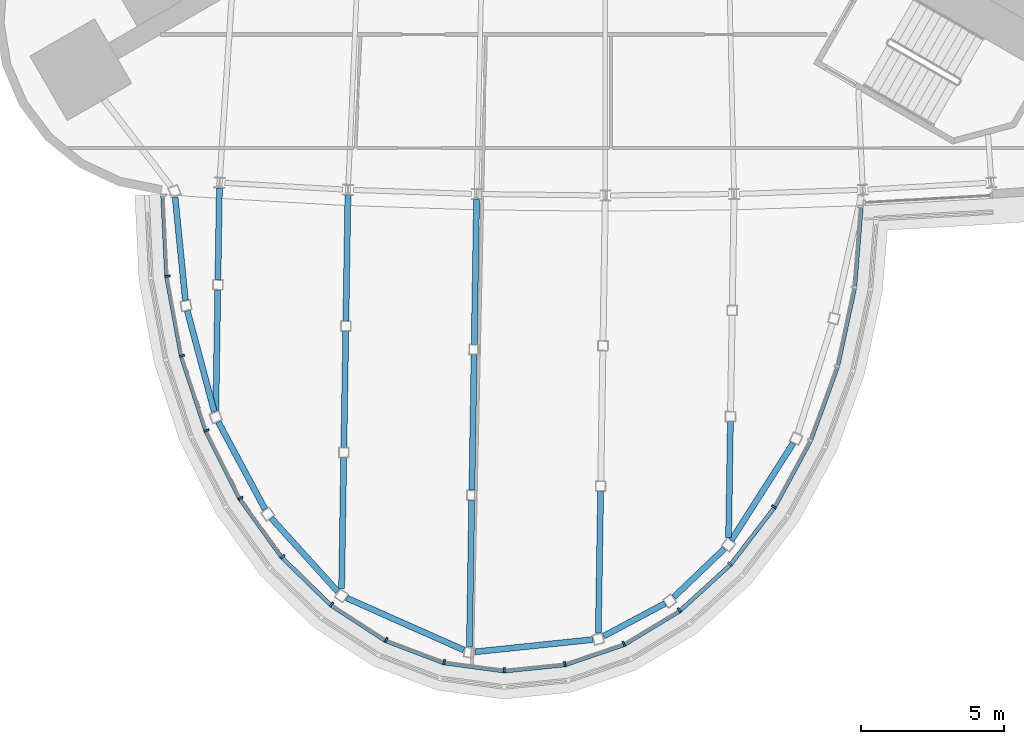
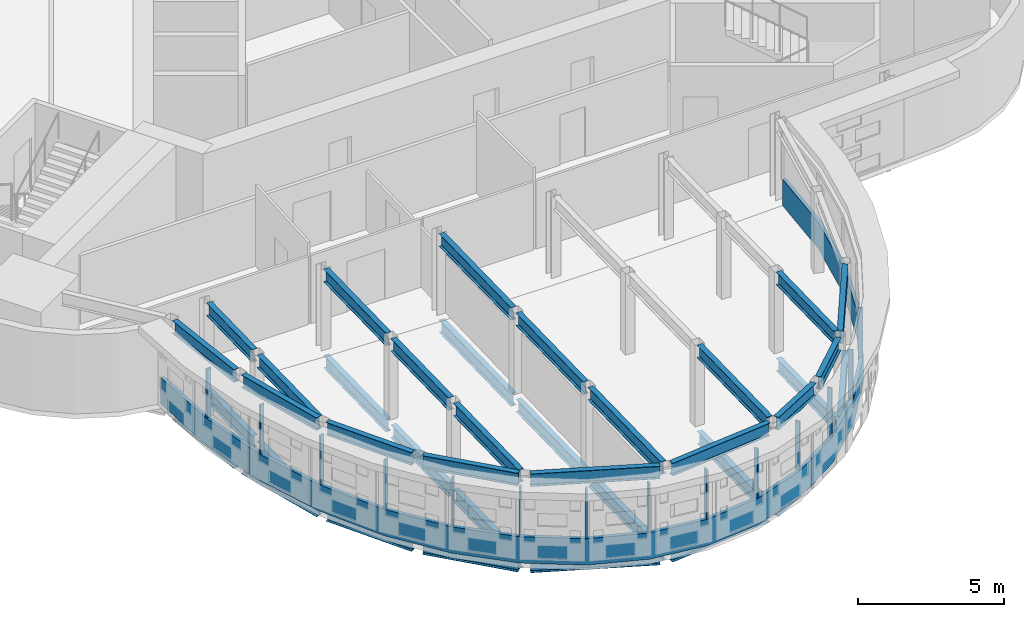
# One storey, part 3 of 15: 38 beams, 15 members, 1 element without a shape of its own.
"""IFC4 building model written with IfcOpenShell, lengths in metres."""

from ifc_helpers import new_model, si_unit, direction, frame, origin, origin_2d, place, context, subcontext, project, spatial, polyline, rectangle, i_section, outline, extrude, material, material_profile, profile_set, type_object, element, aggregate, save


model = new_model("IFC4")

# Units and contexts
model_context = context("Model", 3, precision=1e-05, world=origin(), true_north=direction((0.0, 1.0)))
body_context = subcontext(model_context, "Body", "Model", "MODEL_VIEW")
ifc_project = project(units=[si_unit("LENGTHUNIT", "METRE"), si_unit("AREAUNIT", "SQUARE_METRE"), si_unit("VOLUMEUNIT", "CUBIC_METRE"), si_unit("PLANEANGLEUNIT", "RADIAN"), si_unit("MASSUNIT", "GRAM", prefix="KILO")], contexts=[model_context])

# Site, building, storey
site_placement = place(None, origin())
site = spatial("IfcSite", under=ifc_project, at=site_placement, CompositionType="ELEMENT")
building_placement = place(site_placement, origin())
building = spatial("IfcBuilding", under=site, at=building_placement, Name="Noor Cloister Tower", CompositionType="ELEMENT")
storey_placement = place(building_placement, frame((0.0, 0.0, 225.60009765625)))
storey = spatial("IfcBuildingStorey", under=building, at=storey_placement, Name="L58", CompositionType="ELEMENT", Elevation=225.60009765625)

# Curtain wall, members
ifc_material_1 = material(Name="Aluminium 6063-T6 anodised", Category="aluminium")
curtain_wall_type = type_object("IfcCurtainWallType", Name="Sky bar curtain wall, upper bars CW6", PredefinedType="NOTDEFINED", material=ifc_material_1)
curtain_wall_placement = place(storey_placement, origin())
curtain_wall = element("IfcCurtainWall", 1, at=curtain_wall_placement, inside=storey, type_object=curtain_wall_type, Name="CW6 L58 S sky bar run 2", PredefinedType="NOTDEFINED")
ifc_material_2 = material(Name="Aluminium 6063-T6 anodised", Category="aluminium")
ifc_material_profile_1 = material_profile(ifc_material_2, rectangle(XDim=0.179931640625, YDim=0.070068359375, at=origin_2d()), Name="180 x 70 mullion")
ifc_profile_set_1 = profile_set([ifc_material_profile_1], Name="Aluminium 6063-T6 anodised")
member_type_1 = type_object("IfcMemberType", Name="Mullion CW6 70 x 180", PredefinedType="MULLION", material=ifc_profile_set_1)
member_1_placement = place(storey_placement, frame((-15.267578125, -17.754638671875, 1.099853515625), z_axis=(0.0, 0.0, 1.0), x_axis=(0.993438965549, 0.114363550702, 0.0)))
member_1 = element("IfcMember", 2, at=member_1_placement, type_object=member_type_1, Name="CW6 mullion 2", PredefinedType="MULLION", context=body_context, shape_type="SweptSolid", body=[
    extrude(rectangle(XDim=0.179931640625, YDim=0.070068359375, at=origin_2d()), origin(), (0.0, 0.0, 1.0), 2.050048828125),
])
member_2_placement = place(storey_placement, frame((-14.76171875, -20.528076171875, 1.099853515625), z_axis=(0.0, 0.0, 1.0), x_axis=(0.969193298185, 0.246301341357, 0.0)))
member_2 = element("IfcMember", 3, at=member_2_placement, type_object=member_type_1, Name="CW6 mullion 3", PredefinedType="MULLION", context=body_context, shape_type="SweptSolid", body=[
    extrude(rectangle(XDim=0.179931640625, YDim=0.070068359375, at=origin_2d()), origin(), (0.0, 0.0, 1.0), 2.050048828125),
])
member_3_placement = place(storey_placement, frame((-13.9052734375, -23.13525390625, 1.099853515625), z_axis=(0.0, 0.0, 1.0), x_axis=(0.924752283101, 0.380569592715, 0.0)))
member_3 = element("IfcMember", 4, at=member_3_placement, type_object=member_type_1, Name="CW6 mullion 4", PredefinedType="MULLION", context=body_context, shape_type="SweptSolid", body=[
    extrude(rectangle(XDim=0.179931640625, YDim=0.070068359375, at=origin_2d()), origin(), (0.0, 0.0, 1.0), 2.050048828125),
])
member_4_placement = place(storey_placement, frame((-12.72509765625, -25.4970703125, 1.099853515625), z_axis=(0.0, 0.0, 1.0), x_axis=(0.856103758386, 0.516803981096, 0.0)))
member_4 = element("IfcMember", 5, at=member_4_placement, type_object=member_type_1, Name="CW6 mullion 5", PredefinedType="MULLION", context=body_context, shape_type="SweptSolid", body=[
    extrude(rectangle(XDim=0.179931640625, YDim=0.070068359375, at=origin_2d()), origin(), (0.0, 0.0, 1.0), 2.050048828125),
])
member_5_placement = place(storey_placement, frame((-11.25732421875, -27.541015625, 1.099853515625), z_axis=(0.0, 0.0, 1.0), x_axis=(0.757870889148, 0.652404564194, 0.0)))
member_5 = element("IfcMember", 6, at=member_5_placement, type_object=member_type_1, Name="CW6 mullion 6", PredefinedType="MULLION", context=body_context, shape_type="SweptSolid", body=[
    extrude(rectangle(XDim=0.179931640625, YDim=0.070068359375, at=origin_2d()), origin(), (0.0, 0.0, 1.0), 2.050048828125),
])
member_6_placement = place(storey_placement, frame((-9.547607421875, -29.20556640625, 1.099853515625), z_axis=(0.0, 0.0, 1.0), x_axis=(0.624409562203, 0.781097112163, 0.0)))
member_6 = element("IfcMember", 7, at=member_6_placement, type_object=member_type_1, Name="CW6 mullion 7", PredefinedType="MULLION", context=body_context, shape_type="SweptSolid", body=[
    extrude(rectangle(XDim=0.179931640625, YDim=0.070068359375, at=origin_2d()), origin(), (0.0, 0.0, 1.0), 2.050048828125),
])
member_7_placement = place(storey_placement, frame((-7.648681640625, -30.44091796875, 1.099853515625), z_axis=(0.0, 0.0, 1.0), x_axis=(0.452451441396, 0.891789040737, 0.0)))
member_7 = element("IfcMember", 8, at=member_7_placement, type_object=member_type_1, Name="CW6 mullion 8", PredefinedType="MULLION", context=body_context, shape_type="SweptSolid", body=[
    extrude(rectangle(XDim=0.179931640625, YDim=0.070068359375, at=origin_2d()), origin(), (0.0, 0.0, 1.0), 2.050048828125),
])
member_8_placement = place(storey_placement, frame((-5.61865234375, -31.210205078125, 1.099853515625), z_axis=(0.0, 0.0, 1.0), x_axis=(0.245276878973, 0.969453068818, 0.0)))
member_8 = element("IfcMember", 9, at=member_8_placement, type_object=member_type_1, Name="CW6 mullion 9", PredefinedType="MULLION", context=body_context, shape_type="SweptSolid", body=[
    extrude(rectangle(XDim=0.179931640625, YDim=0.070068359375, at=origin_2d()), origin(), (0.0, 0.0, 1.0), 2.050048828125),
])
member_9_placement = place(storey_placement, frame((-3.51806640625, -31.491943359375, 1.099853515625), z_axis=(0.0, 0.0, 1.0), x_axis=(0.016039463974, 0.999871359524, 0.0)))
member_9 = element("IfcMember", 10, at=member_9_placement, type_object=member_type_1, Name="CW6 mullion 10", PredefinedType="MULLION", context=body_context, shape_type="SweptSolid", body=[
    extrude(rectangle(XDim=0.179931640625, YDim=0.070068359375, at=origin_2d()), origin(), (0.0, 0.0, 1.0), 2.050048828125),
])
member_10_placement = place(storey_placement, frame((-1.40966796875, -31.27783203125, 1.099853515625), z_axis=(0.0, 0.0, 1.0), x_axis=(-0.214055662401, 0.976821464442, 0.0)))
member_10 = element("IfcMember", 11, at=member_10_placement, type_object=member_type_1, Name="CW6 mullion 11", PredefinedType="MULLION", context=body_context, shape_type="SweptSolid", body=[
    extrude(rectangle(XDim=0.179931640625, YDim=0.070068359375, at=origin_2d()), origin(), (0.0, 0.0, 1.0), 2.050048828125),
])
member_11_placement = place(storey_placement, frame((0.64404296875, -30.57373046875, 1.099853515625), z_axis=(0.0, 0.0, 1.0), x_axis=(-0.423614685811, 0.905842479665, 0.0)))
member_11 = element("IfcMember", 12, at=member_11_placement, type_object=member_type_1, Name="CW6 mullion 12", PredefinedType="MULLION", context=body_context, shape_type="SweptSolid", body=[
    extrude(rectangle(XDim=0.179931640625, YDim=0.070068359375, at=origin_2d()), origin(), (0.0, 0.0, 1.0), 2.050048828125),
])
member_12_placement = place(storey_placement, frame((2.58154296875, -29.400146484375, 1.099853515625), z_axis=(0.0, 0.0, 1.0), x_axis=(-0.599034750826, 0.800723027834, 0.0)))
member_12 = element("IfcMember", 13, at=member_12_placement, type_object=member_type_1, Name="CW6 mullion 13", PredefinedType="MULLION", context=body_context, shape_type="SweptSolid", body=[
    extrude(rectangle(XDim=0.179931640625, YDim=0.070068359375, at=origin_2d()), origin(), (0.0, 0.0, 1.0), 2.050048828125),
])
member_13_placement = place(storey_placement, frame((4.34375, -27.791259765625, 1.099853515625), z_axis=(0.0, 0.0, 1.0), x_axis=(-0.736555195978, 0.676377441431, 0.0)))
member_13 = element("IfcMember", 14, at=member_13_placement, type_object=member_type_1, Name="CW6 mullion 14", PredefinedType="MULLION", context=body_context, shape_type="SweptSolid", body=[
    extrude(rectangle(XDim=0.179931640625, YDim=0.070068359375, at=origin_2d()), origin(), (0.0, 0.0, 1.0), 2.050048828125),
])
member_14_placement = place(storey_placement, frame((5.876220703125, -25.79541015625, 1.099853515625), z_axis=(0.0, 0.0, 1.0), x_axis=(-0.839086883334, 0.543997428502, 0.0)))
member_14 = element("IfcMember", 15, at=member_14_placement, type_object=member_type_1, Name="CW6 mullion 15", PredefinedType="MULLION", context=body_context, shape_type="SweptSolid", body=[
    extrude(rectangle(XDim=0.179931640625, YDim=0.070068359375, at=origin_2d()), origin(), (0.0, 0.0, 1.0), 2.050048828125),
])

# Beams
ifc_material_3 = material(Name="Steel ASTM A992 Gr 50", Category="steel")
ifc_material_profile_2 = material_profile(ifc_material_3, i_section(OverallWidth=0.208984375, OverallDepth=0.532958984375, WebThickness=0.01025390625, FlangeThickness=0.015625, FilletRadius=0.0126953125, at=origin_2d()), Name="W530x92")
ifc_profile_set_2 = profile_set([ifc_material_profile_2], Name="Steel ASTM A992 Gr 50")
beam_type = type_object("IfcBeamType", Name="Pod floor beam W530x92", PredefinedType="BEAM", material=ifc_profile_set_2)
beam_1_placement = place(storey_placement, frame((-13.45654296875, -14.68310546875, -0.466552734375), z_axis=(-0.016057886464, -0.999871063829, 0.0), x_axis=(0.999871063829, -0.016057886464, 0.0)))
element("IfcBeam", 16, at=beam_1_placement, inside=storey, type_object=beam_type, Name="Pod floor beam 4 L58 line 1 span 1", PredefinedType="BEAM", context=body_context, shape_type="SweptSolid", body=[
    extrude(i_section(OverallWidth=0.208984375, OverallDepth=0.532958984375, WebThickness=0.01025390625, FlangeThickness=0.015625, FilletRadius=0.0126953125, at=origin_2d()), origin(), (0.0, 0.0, 1.0), 3.19287109375),
])
beam_2_placement = place(storey_placement, frame((-13.513671875, -18.231689453125, -0.466552734375), z_axis=(-0.016020235708, -0.999871667789, 0.0), x_axis=(0.999871667789, -0.016020235708, 0.0)))
element("IfcBeam", 17, at=beam_2_placement, inside=storey, type_object=beam_type, Name="Pod floor beam 4 L58 line 1 span 2", PredefinedType="BEAM", context=body_context, shape_type="SweptSolid", body=[
    extrude(i_section(OverallWidth=0.208984375, OverallDepth=0.532958984375, WebThickness=0.01025390625, FlangeThickness=0.015625, FilletRadius=0.0126953125, at=origin_2d()), origin(), (0.0, 0.0, 1.0), 4.2060546875),
])
beam_3_placement = place(storey_placement, frame((-8.975830078125, -14.928955078125, -0.466552734375), z_axis=(-0.016022870474, -0.999871625571, 0.0), x_axis=(0.999871625571, -0.016022870474, 0.0)))
element("IfcBeam", 18, at=beam_3_placement, inside=storey, type_object=beam_type, Name="Pod floor beam 4 L58 line 2 span 1", PredefinedType="BEAM", context=body_context, shape_type="SweptSolid", body=[
    extrude(i_section(OverallWidth=0.208984375, OverallDepth=0.532958984375, WebThickness=0.01025390625, FlangeThickness=0.015625, FilletRadius=0.0126953125, at=origin_2d()), origin(), (0.0, 0.0, 1.0), 4.38818359375),
])
beam_4_placement = place(storey_placement, frame((-9.0517578125, -19.672607421875, -0.466552734375), z_axis=(-0.01602879691, -0.999871530583, 0.0), x_axis=(0.999871530583, -0.01602879691, 0.0)))
element("IfcBeam", 19, at=beam_4_placement, inside=storey, type_object=beam_type, Name="Pod floor beam 4 L58 line 2 span 2", PredefinedType="BEAM", context=body_context, shape_type="SweptSolid", body=[
    extrude(i_section(OverallWidth=0.208984375, OverallDepth=0.532958984375, WebThickness=0.01025390625, FlangeThickness=0.015625, FilletRadius=0.0126953125, at=origin_2d()), origin(), (0.0, 0.0, 1.0), 4.051513671875),
])
beam_5_placement = place(storey_placement, frame((-9.12255859375, -24.07958984375, -0.466552734375), z_axis=(-0.016028719651, -0.999871531821, 0.0), x_axis=(0.999871531821, -0.016028719651, 0.0)))
element("IfcBeam", 20, at=beam_5_placement, inside=storey, type_object=beam_type, Name="Pod floor beam 4 L58 line 2 span 3", PredefinedType="BEAM", context=body_context, shape_type="SweptSolid", body=[
    extrude(i_section(OverallWidth=0.208984375, OverallDepth=0.532958984375, WebThickness=0.01025390625, FlangeThickness=0.015625, FilletRadius=0.0126953125, at=origin_2d()), origin(), (0.0, 0.0, 1.0), 4.5693359375),
])
beam_6_placement = place(storey_placement, frame((-4.490478515625, -15.075439453125, -0.466552734375), z_axis=(-0.016018790783, -0.999871690939, 0.0), x_axis=(0.999871690939, -0.016018790783, 0.0)))
element("IfcBeam", 21, at=beam_6_placement, inside=storey, type_object=beam_type, Name="Pod floor beam 4 L58 line 3 span 1", PredefinedType="BEAM", context=body_context, shape_type="SweptSolid", body=[
    extrude(i_section(OverallWidth=0.208984375, OverallDepth=0.532958984375, WebThickness=0.01025390625, FlangeThickness=0.015625, FilletRadius=0.0126953125, at=origin_2d()), origin(), (0.0, 0.0, 1.0), 5.06005859375),
])
beam_7_placement = place(storey_placement, frame((-4.577392578125, -20.49072265625, -0.466552734375), z_axis=(-0.016018616282, -0.999871693735, 0.0), x_axis=(0.999871693735, -0.016018616282, 0.0)))
element("IfcBeam", 22, at=beam_7_placement, inside=storey, type_object=beam_type, Name="Pod floor beam 4 L58 line 3 span 2", PredefinedType="BEAM", context=body_context, shape_type="SweptSolid", body=[
    extrude(i_section(OverallWidth=0.208984375, OverallDepth=0.532958984375, WebThickness=0.01025390625, FlangeThickness=0.015625, FilletRadius=0.0126953125, at=origin_2d()), origin(), (0.0, 0.0, 1.0), 4.724609375),
])
beam_8_placement = place(storey_placement, frame((-4.65869140625, -25.57080078125, -0.466552734375), z_axis=(-0.016060649323, -0.999871019454, 0.0), x_axis=(0.999871019454, -0.016060649323, 0.0)))
element("IfcBeam", 23, at=beam_8_placement, inside=storey, type_object=beam_type, Name="Pod floor beam 4 L58 line 3 span 3", PredefinedType="BEAM", context=body_context, shape_type="SweptSolid", body=[
    extrude(i_section(OverallWidth=0.208984375, OverallDepth=0.532958984375, WebThickness=0.01025390625, FlangeThickness=0.015625, FilletRadius=0.0126953125, at=origin_2d()), origin(), (0.0, 0.0, 1.0), 5.107666015625),
])
beam_9_placement = place(storey_placement, frame((-0.16552734375, -25.252197265625, -0.466552734375), z_axis=(-0.016014555828, -0.999871758778, 0.0), x_axis=(0.999871758778, -0.016014555828, 0.0)))
element("IfcBeam", 24, at=beam_9_placement, inside=storey, type_object=beam_type, Name="Pod floor beam 4 L58 line 4 span 3", PredefinedType="BEAM", context=body_context, shape_type="SweptSolid", body=[
    extrude(i_section(OverallWidth=0.208984375, OverallDepth=0.532958984375, WebThickness=0.01025390625, FlangeThickness=0.015625, FilletRadius=0.0126953125, at=origin_2d()), origin(), (0.0, 0.0, 1.0), 4.939453125),
])
beam_10_placement = place(storey_placement, frame((4.360107421875, -22.828125, -0.466552734375), z_axis=(-0.016058791155, -0.999871049299, 0.0), x_axis=(0.999871049299, -0.016058791155, 0.0)))
element("IfcBeam", 25, at=beam_10_placement, inside=storey, type_object=beam_type, Name="Pod floor beam 4 L58 line 5 span 3", PredefinedType="BEAM", context=body_context, shape_type="SweptSolid", body=[
    extrude(i_section(OverallWidth=0.208984375, OverallDepth=0.532958984375, WebThickness=0.01025390625, FlangeThickness=0.015625, FilletRadius=0.0126953125, at=origin_2d()), origin(), (0.0, 0.0, 1.0), 4.0439453125),
])
beam_11_placement = place(storey_placement, frame((-14.99951171875, -15.00390625, -0.466552734375), z_axis=(0.09924249297, -0.995063278183, 0.0), x_axis=(0.995063278183, 0.09924249297, 0.0)))
element("IfcBeam", 26, at=beam_11_placement, inside=storey, type_object=beam_type, Name="Pod floor beam 4 L58 ring 2", PredefinedType="BEAM", context=body_context, shape_type="SweptSolid", body=[
    extrude(i_section(OverallWidth=0.208984375, OverallDepth=0.532958984375, WebThickness=0.01025390625, FlangeThickness=0.015625, FilletRadius=0.0126953125, at=origin_2d()), origin(), (0.0, 0.0, 1.0), 3.60888671875),
])
beam_12_placement = place(storey_placement, frame((-14.57470703125, -18.961669921875, -0.466552734375), z_axis=(0.25794181174, -0.966160453422, 0.0), x_axis=(0.966160453422, 0.25794181174, 0.0)))
element("IfcBeam", 27, at=beam_12_placement, inside=storey, type_object=beam_type, Name="Pod floor beam 4 L58 ring 3", PredefinedType="BEAM", context=body_context, shape_type="SweptSolid", body=[
    extrude(i_section(OverallWidth=0.208984375, OverallDepth=0.532958984375, WebThickness=0.01025390625, FlangeThickness=0.015625, FilletRadius=0.0126953125, at=origin_2d()), origin(), (0.0, 0.0, 1.0), 3.646728515625),
])
beam_13_placement = place(storey_placement, frame((-13.494140625, -22.83837890625, -0.466552734375), z_axis=(0.472231221269, -0.881474715269, 0.0), x_axis=(0.881474715269, 0.472231221269, 0.0)))
element("IfcBeam", 28, at=beam_13_placement, inside=storey, type_object=beam_type, Name="Pod floor beam 4 L58 ring 4", PredefinedType="BEAM", context=body_context, shape_type="SweptSolid", body=[
    extrude(i_section(OverallWidth=0.208984375, OverallDepth=0.532958984375, WebThickness=0.01025390625, FlangeThickness=0.015625, FilletRadius=0.0126953125, at=origin_2d()), origin(), (0.0, 0.0, 1.0), 3.45361328125),
])
beam_14_placement = place(storey_placement, frame((-11.643798828125, -26.194091796875, -0.466552734375), z_axis=(0.670972878128, -0.74148189244, 0.0), x_axis=(0.74148189244, 0.670972878128, 0.0)))
element("IfcBeam", 29, at=beam_14_placement, inside=storey, type_object=beam_type, Name="Pod floor beam 4 L58 ring 5", PredefinedType="BEAM", context=body_context, shape_type="SweptSolid", body=[
    extrude(i_section(OverallWidth=0.208984375, OverallDepth=0.532958984375, WebThickness=0.01025390625, FlangeThickness=0.015625, FilletRadius=0.0126953125, at=origin_2d()), origin(), (0.0, 0.0, 1.0), 3.434814453125),
])
beam_15_placement = place(storey_placement, frame((-9.0166015625, -28.976318359375, -0.466552734375), z_axis=(0.91395356145, -0.405818786545, 0.0), x_axis=(0.405818786545, 0.91395356145, 0.0)))
element("IfcBeam", 30, at=beam_15_placement, inside=storey, type_object=beam_type, Name="Pod floor beam 4 L58 ring 6", PredefinedType="BEAM", context=body_context, shape_type="SweptSolid", body=[
    extrude(i_section(OverallWidth=0.208984375, OverallDepth=0.532958984375, WebThickness=0.01025390625, FlangeThickness=0.015625, FilletRadius=0.0126953125, at=origin_2d()), origin(), (0.0, 0.0, 1.0), 4.46435546875),
])
beam_16_placement = place(storey_placement, frame((-4.53125, -30.851318359375, -0.466552734375), z_axis=(0.994591346785, 0.103865552038, 0.0), x_axis=(-0.103865552038, 0.994591346785, 0.0)))
element("IfcBeam", 31, at=beam_16_placement, inside=storey, type_object=beam_type, Name="Pod floor beam 4 L58 ring 7", PredefinedType="BEAM", context=body_context, shape_type="SweptSolid", body=[
    extrude(i_section(OverallWidth=0.208984375, OverallDepth=0.532958984375, WebThickness=0.01025390625, FlangeThickness=0.015625, FilletRadius=0.0126953125, at=origin_2d()), origin(), (0.0, 0.0, 1.0), 4.111083984375),
])
beam_17_placement = place(storey_placement, frame((-0.064208984375, -30.30615234375, -0.466552734375), z_axis=(0.882857278329, 0.469641380312, 0.0), x_axis=(-0.469641380312, 0.882857278329, 0.0)))
element("IfcBeam", 32, at=beam_17_placement, inside=storey, type_object=beam_type, Name="Pod floor beam 4 L58 ring 8", PredefinedType="BEAM", context=body_context, shape_type="SweptSolid", body=[
    extrude(i_section(OverallWidth=0.208984375, OverallDepth=0.532958984375, WebThickness=0.01025390625, FlangeThickness=0.015625, FilletRadius=0.0126953125, at=origin_2d()), origin(), (0.0, 0.0, 1.0), 2.423095703125),
])
beam_18_placement = place(storey_placement, frame((2.386474609375, -28.943115234375, -0.466552734375), z_axis=(0.722587546646, 0.691279420663, 0.0), x_axis=(-0.691279420663, 0.722587546646, 0.0)))
element("IfcBeam", 33, at=beam_18_placement, inside=storey, type_object=beam_type, Name="Pod floor beam 4 L58 ring 9", PredefinedType="BEAM", context=body_context, shape_type="SweptSolid", body=[
    extrude(i_section(OverallWidth=0.208984375, OverallDepth=0.532958984375, WebThickness=0.01025390625, FlangeThickness=0.015625, FilletRadius=0.0126953125, at=origin_2d()), origin(), (0.0, 0.0, 1.0), 2.440673828125),
])
beam_19_placement = place(storey_placement, frame((4.392578125, -26.961669921875, -0.466552734375), z_axis=(0.537261702506, 0.843415593299, 0.0), x_axis=(-0.843415593299, 0.537261702506, 0.0)))
element("IfcBeam", 34, at=beam_19_placement, inside=storey, type_object=beam_type, Name="Pod floor beam 4 L58 ring 10", PredefinedType="BEAM", context=body_context, shape_type="SweptSolid", body=[
    extrude(i_section(OverallWidth=0.208984375, OverallDepth=0.532958984375, WebThickness=0.01025390625, FlangeThickness=0.015625, FilletRadius=0.0126953125, at=origin_2d()), origin(), (0.0, 0.0, 1.0), 4.008056640625),
])
beam_20_placement = place(storey_placement, frame((-13.45654296875, -14.68310546875, 3.13330078125), z_axis=(-0.016057886464, -0.999871063829, 0.0), x_axis=(0.999871063829, -0.016057886464, 0.0)))
element("IfcBeam", 35, at=beam_20_placement, inside=storey, type_object=beam_type, Name="Pod floor beam 4 L59 line 1 span 1", PredefinedType="BEAM", context=body_context, shape_type="SweptSolid", body=[
    extrude(i_section(OverallWidth=0.208984375, OverallDepth=0.532958984375, WebThickness=0.01025390625, FlangeThickness=0.015625, FilletRadius=0.0126953125, at=origin_2d()), origin(), (0.0, 0.0, 1.0), 3.19287109375),
])
beam_21_placement = place(storey_placement, frame((-13.513671875, -18.231689453125, 3.13330078125), z_axis=(-0.016020235708, -0.999871667789, 0.0), x_axis=(0.999871667789, -0.016020235708, 0.0)))
element("IfcBeam", 36, at=beam_21_placement, inside=storey, type_object=beam_type, Name="Pod floor beam 4 L59 line 1 span 2", PredefinedType="BEAM", context=body_context, shape_type="SweptSolid", body=[
    extrude(i_section(OverallWidth=0.208984375, OverallDepth=0.532958984375, WebThickness=0.01025390625, FlangeThickness=0.015625, FilletRadius=0.0126953125, at=origin_2d()), origin(), (0.0, 0.0, 1.0), 4.2060546875),
])
beam_22_placement = place(storey_placement, frame((-8.975830078125, -14.928955078125, 3.13330078125), z_axis=(-0.016022870474, -0.999871625571, 0.0), x_axis=(0.999871625571, -0.016022870474, 0.0)))
element("IfcBeam", 37, at=beam_22_placement, inside=storey, type_object=beam_type, Name="Pod floor beam 4 L59 line 2 span 1", PredefinedType="BEAM", context=body_context, shape_type="SweptSolid", body=[
    extrude(i_section(OverallWidth=0.208984375, OverallDepth=0.532958984375, WebThickness=0.01025390625, FlangeThickness=0.015625, FilletRadius=0.0126953125, at=origin_2d()), origin(), (0.0, 0.0, 1.0), 4.38818359375),
])
beam_23_placement = place(storey_placement, frame((-9.0517578125, -19.672607421875, 3.13330078125), z_axis=(-0.01602879691, -0.999871530583, 0.0), x_axis=(0.999871530583, -0.01602879691, 0.0)))
element("IfcBeam", 38, at=beam_23_placement, inside=storey, type_object=beam_type, Name="Pod floor beam 4 L59 line 2 span 2", PredefinedType="BEAM", context=body_context, shape_type="SweptSolid", body=[
    extrude(i_section(OverallWidth=0.208984375, OverallDepth=0.532958984375, WebThickness=0.01025390625, FlangeThickness=0.015625, FilletRadius=0.0126953125, at=origin_2d()), origin(), (0.0, 0.0, 1.0), 4.051513671875),
])
beam_24_placement = place(storey_placement, frame((-9.12255859375, -24.07958984375, 3.13330078125), z_axis=(-0.016028719651, -0.999871531821, 0.0), x_axis=(0.999871531821, -0.016028719651, 0.0)))
element("IfcBeam", 39, at=beam_24_placement, inside=storey, type_object=beam_type, Name="Pod floor beam 4 L59 line 2 span 3", PredefinedType="BEAM", context=body_context, shape_type="SweptSolid", body=[
    extrude(i_section(OverallWidth=0.208984375, OverallDepth=0.532958984375, WebThickness=0.01025390625, FlangeThickness=0.015625, FilletRadius=0.0126953125, at=origin_2d()), origin(), (0.0, 0.0, 1.0), 4.5693359375),
])
beam_25_placement = place(storey_placement, frame((-4.490478515625, -15.075439453125, 3.13330078125), z_axis=(-0.016018790783, -0.999871690939, 0.0), x_axis=(0.999871690939, -0.016018790783, 0.0)))
element("IfcBeam", 40, at=beam_25_placement, inside=storey, type_object=beam_type, Name="Pod floor beam 4 L59 line 3 span 1", PredefinedType="BEAM", context=body_context, shape_type="SweptSolid", body=[
    extrude(i_section(OverallWidth=0.208984375, OverallDepth=0.532958984375, WebThickness=0.01025390625, FlangeThickness=0.015625, FilletRadius=0.0126953125, at=origin_2d()), origin(), (0.0, 0.0, 1.0), 5.06005859375),
])
beam_26_placement = place(storey_placement, frame((-4.577392578125, -20.49072265625, 3.13330078125), z_axis=(-0.016018616282, -0.999871693735, 0.0), x_axis=(0.999871693735, -0.016018616282, 0.0)))
element("IfcBeam", 41, at=beam_26_placement, inside=storey, type_object=beam_type, Name="Pod floor beam 4 L59 line 3 span 2", PredefinedType="BEAM", context=body_context, shape_type="SweptSolid", body=[
    extrude(i_section(OverallWidth=0.208984375, OverallDepth=0.532958984375, WebThickness=0.01025390625, FlangeThickness=0.015625, FilletRadius=0.0126953125, at=origin_2d()), origin(), (0.0, 0.0, 1.0), 4.724609375),
])
beam_27_placement = place(storey_placement, frame((-4.65869140625, -25.57080078125, 3.13330078125), z_axis=(-0.016060649323, -0.999871019454, 0.0), x_axis=(0.999871019454, -0.016060649323, 0.0)))
element("IfcBeam", 42, at=beam_27_placement, inside=storey, type_object=beam_type, Name="Pod floor beam 4 L59 line 3 span 3", PredefinedType="BEAM", context=body_context, shape_type="SweptSolid", body=[
    extrude(i_section(OverallWidth=0.208984375, OverallDepth=0.532958984375, WebThickness=0.01025390625, FlangeThickness=0.015625, FilletRadius=0.0126953125, at=origin_2d()), origin(), (0.0, 0.0, 1.0), 5.107666015625),
])
beam_28_placement = place(storey_placement, frame((-0.16552734375, -25.252197265625, 3.13330078125), z_axis=(-0.016014555828, -0.999871758778, 0.0), x_axis=(0.999871758778, -0.016014555828, 0.0)))
element("IfcBeam", 43, at=beam_28_placement, inside=storey, type_object=beam_type, Name="Pod floor beam 4 L59 line 4 span 3", PredefinedType="BEAM", context=body_context, shape_type="SweptSolid", body=[
    extrude(i_section(OverallWidth=0.208984375, OverallDepth=0.532958984375, WebThickness=0.01025390625, FlangeThickness=0.015625, FilletRadius=0.0126953125, at=origin_2d()), origin(), (0.0, 0.0, 1.0), 4.939453125),
])
beam_29_placement = place(storey_placement, frame((4.360107421875, -22.828125, 3.13330078125), z_axis=(-0.016058791155, -0.999871049299, 0.0), x_axis=(0.999871049299, -0.016058791155, 0.0)))
element("IfcBeam", 44, at=beam_29_placement, inside=storey, type_object=beam_type, Name="Pod floor beam 4 L59 line 5 span 3", PredefinedType="BEAM", context=body_context, shape_type="SweptSolid", body=[
    extrude(i_section(OverallWidth=0.208984375, OverallDepth=0.532958984375, WebThickness=0.01025390625, FlangeThickness=0.015625, FilletRadius=0.0126953125, at=origin_2d()), origin(), (0.0, 0.0, 1.0), 4.0439453125),
])
beam_30_placement = place(storey_placement, frame((-14.99951171875, -15.00390625, 3.13330078125), z_axis=(0.09924249297, -0.995063278183, 0.0), x_axis=(0.995063278183, 0.09924249297, 0.0)))
element("IfcBeam", 45, at=beam_30_placement, inside=storey, type_object=beam_type, Name="Pod floor beam 4 L59 ring 2", PredefinedType="BEAM", context=body_context, shape_type="SweptSolid", body=[
    extrude(i_section(OverallWidth=0.208984375, OverallDepth=0.532958984375, WebThickness=0.01025390625, FlangeThickness=0.015625, FilletRadius=0.0126953125, at=origin_2d()), origin(), (0.0, 0.0, 1.0), 3.60888671875),
])
beam_31_placement = place(storey_placement, frame((-14.57470703125, -18.961669921875, 3.13330078125), z_axis=(0.25794181174, -0.966160453422, 0.0), x_axis=(0.966160453422, 0.25794181174, 0.0)))
element("IfcBeam", 46, at=beam_31_placement, inside=storey, type_object=beam_type, Name="Pod floor beam 4 L59 ring 3", PredefinedType="BEAM", context=body_context, shape_type="SweptSolid", body=[
    extrude(i_section(OverallWidth=0.208984375, OverallDepth=0.532958984375, WebThickness=0.01025390625, FlangeThickness=0.015625, FilletRadius=0.0126953125, at=origin_2d()), origin(), (0.0, 0.0, 1.0), 3.646728515625),
])
beam_32_placement = place(storey_placement, frame((-13.494140625, -22.83837890625, 3.13330078125), z_axis=(0.472231221269, -0.881474715269, 0.0), x_axis=(0.881474715269, 0.472231221269, 0.0)))
element("IfcBeam", 47, at=beam_32_placement, inside=storey, type_object=beam_type, Name="Pod floor beam 4 L59 ring 4", PredefinedType="BEAM", context=body_context, shape_type="SweptSolid", body=[
    extrude(i_section(OverallWidth=0.208984375, OverallDepth=0.532958984375, WebThickness=0.01025390625, FlangeThickness=0.015625, FilletRadius=0.0126953125, at=origin_2d()), origin(), (0.0, 0.0, 1.0), 3.45361328125),
])
beam_33_placement = place(storey_placement, frame((-11.643798828125, -26.194091796875, 3.13330078125), z_axis=(0.670972878128, -0.74148189244, 0.0), x_axis=(0.74148189244, 0.670972878128, 0.0)))
element("IfcBeam", 48, at=beam_33_placement, inside=storey, type_object=beam_type, Name="Pod floor beam 4 L59 ring 5", PredefinedType="BEAM", context=body_context, shape_type="SweptSolid", body=[
    extrude(i_section(OverallWidth=0.208984375, OverallDepth=0.532958984375, WebThickness=0.01025390625, FlangeThickness=0.015625, FilletRadius=0.0126953125, at=origin_2d()), origin(), (0.0, 0.0, 1.0), 3.434814453125),
])
beam_34_placement = place(storey_placement, frame((-9.0166015625, -28.976318359375, 3.13330078125), z_axis=(0.91395356145, -0.405818786545, 0.0), x_axis=(0.405818786545, 0.91395356145, 0.0)))
element("IfcBeam", 49, at=beam_34_placement, inside=storey, type_object=beam_type, Name="Pod floor beam 4 L59 ring 6", PredefinedType="BEAM", context=body_context, shape_type="SweptSolid", body=[
    extrude(i_section(OverallWidth=0.208984375, OverallDepth=0.532958984375, WebThickness=0.01025390625, FlangeThickness=0.015625, FilletRadius=0.0126953125, at=origin_2d()), origin(), (0.0, 0.0, 1.0), 4.46435546875),
])
beam_35_placement = place(storey_placement, frame((-4.53125, -30.851318359375, 3.13330078125), z_axis=(0.994591346785, 0.103865552038, 0.0), x_axis=(-0.103865552038, 0.994591346785, 0.0)))
element("IfcBeam", 50, at=beam_35_placement, inside=storey, type_object=beam_type, Name="Pod floor beam 4 L59 ring 7", PredefinedType="BEAM", context=body_context, shape_type="SweptSolid", body=[
    extrude(i_section(OverallWidth=0.208984375, OverallDepth=0.532958984375, WebThickness=0.01025390625, FlangeThickness=0.015625, FilletRadius=0.0126953125, at=origin_2d()), origin(), (0.0, 0.0, 1.0), 4.111083984375),
])
beam_36_placement = place(storey_placement, frame((-0.064208984375, -30.30615234375, 3.13330078125), z_axis=(0.882857278329, 0.469641380312, 0.0), x_axis=(-0.469641380312, 0.882857278329, 0.0)))
element("IfcBeam", 51, at=beam_36_placement, inside=storey, type_object=beam_type, Name="Pod floor beam 4 L59 ring 8", PredefinedType="BEAM", context=body_context, shape_type="SweptSolid", body=[
    extrude(i_section(OverallWidth=0.208984375, OverallDepth=0.532958984375, WebThickness=0.01025390625, FlangeThickness=0.015625, FilletRadius=0.0126953125, at=origin_2d()), origin(), (0.0, 0.0, 1.0), 2.423095703125),
])
beam_37_placement = place(storey_placement, frame((2.386474609375, -28.943115234375, 3.13330078125), z_axis=(0.722587546646, 0.691279420663, 0.0), x_axis=(-0.691279420663, 0.722587546646, 0.0)))
element("IfcBeam", 52, at=beam_37_placement, inside=storey, type_object=beam_type, Name="Pod floor beam 4 L59 ring 9", PredefinedType="BEAM", context=body_context, shape_type="SweptSolid", body=[
    extrude(i_section(OverallWidth=0.208984375, OverallDepth=0.532958984375, WebThickness=0.01025390625, FlangeThickness=0.015625, FilletRadius=0.0126953125, at=origin_2d()), origin(), (0.0, 0.0, 1.0), 2.440673828125),
])
beam_38_placement = place(storey_placement, frame((4.392578125, -26.961669921875, 3.13330078125), z_axis=(0.537261702506, 0.843415593299, 0.0), x_axis=(-0.843415593299, 0.537261702506, 0.0)))
element("IfcBeam", 53, at=beam_38_placement, inside=storey, type_object=beam_type, Name="Pod floor beam 4 L59 ring 10", PredefinedType="BEAM", context=body_context, shape_type="SweptSolid", body=[
    extrude(i_section(OverallWidth=0.208984375, OverallDepth=0.532958984375, WebThickness=0.01025390625, FlangeThickness=0.015625, FilletRadius=0.0126953125, at=origin_2d()), origin(), (0.0, 0.0, 1.0), 4.008056640625),
])

# Member
ifc_material_4 = material(Name="Aluminium 6063-T6 anodised", Category="aluminium")
member_type_2 = type_object("IfcMemberType", Name="Sill transom CW6 1100", PredefinedType="USERDEFINED", material=ifc_material_4)
member_15_placement = place(storey_placement, origin())
member_15 = element("IfcMember", 54, at=member_15_placement, type_object=member_type_2, Name="CW6 sill transom", ObjectType="TRANSOM", PredefinedType="USERDEFINED", context=body_context, shape_type="SweptSolid", body=[
    extrude(outline(polyline([(-15.50732421875, -14.898193359375), (-15.366943359375, -17.76611328125), (-14.85888671875, -20.552734375), (-13.998046875, -23.173583984375), (-12.810791015625, -25.548828125), (-11.333251953125, -27.6064453125), (-9.6103515625, -29.2841796875), (-7.6943359375, -30.530517578125), (-5.643310546875, -31.307861328125), (-3.519775390625, -31.5927734375), (-1.38818359375, -31.376220703125), (0.686767578125, -30.6650390625), (2.641845703125, -29.480712890625), (4.417724609375, -27.859130859375), (5.96044921875, -25.85009765625), (7.22314453125, -23.513916015625), (8.167724609375, -20.922119140625), (8.764892578125, -18.153076171875), (8.9970703125, -15.291259765625), (8.857421875, -15.280029296875), (8.626220703125, -18.132568359375), (8.03271484375, -20.883056640625), (7.09521484375, -23.456298828125), (5.842529296875, -25.773681640625), (4.314208984375, -27.76416015625), (2.5576171875, -29.367919921875), (0.626953125, -30.537353515625), (-1.418212890625, -31.238525390625), (-3.517578125, -31.45166015625), (-5.608642578125, -31.17138671875), (-7.630615234375, -30.405029296875), (-9.5224609375, -29.17431640625), (-11.226806640625, -27.514892578125), (-12.690673828125, -25.476318359375), (-13.8681640625, -23.1201171875), (-14.722900390625, -20.51806640625), (-15.227783203125, -17.75), (-15.367431640625, -14.891357421875), (-15.50732421875, -14.898193359375)])), origin(), (0.0, 0.0, 1.0), 1.099853515625),
])

aggregate(curtain_wall, [member_1, member_2, member_3, member_4, member_5, member_6, member_7, member_8, member_9, member_10, member_11, member_12, member_13, member_14, member_15])

save(model, "model.ifc")
